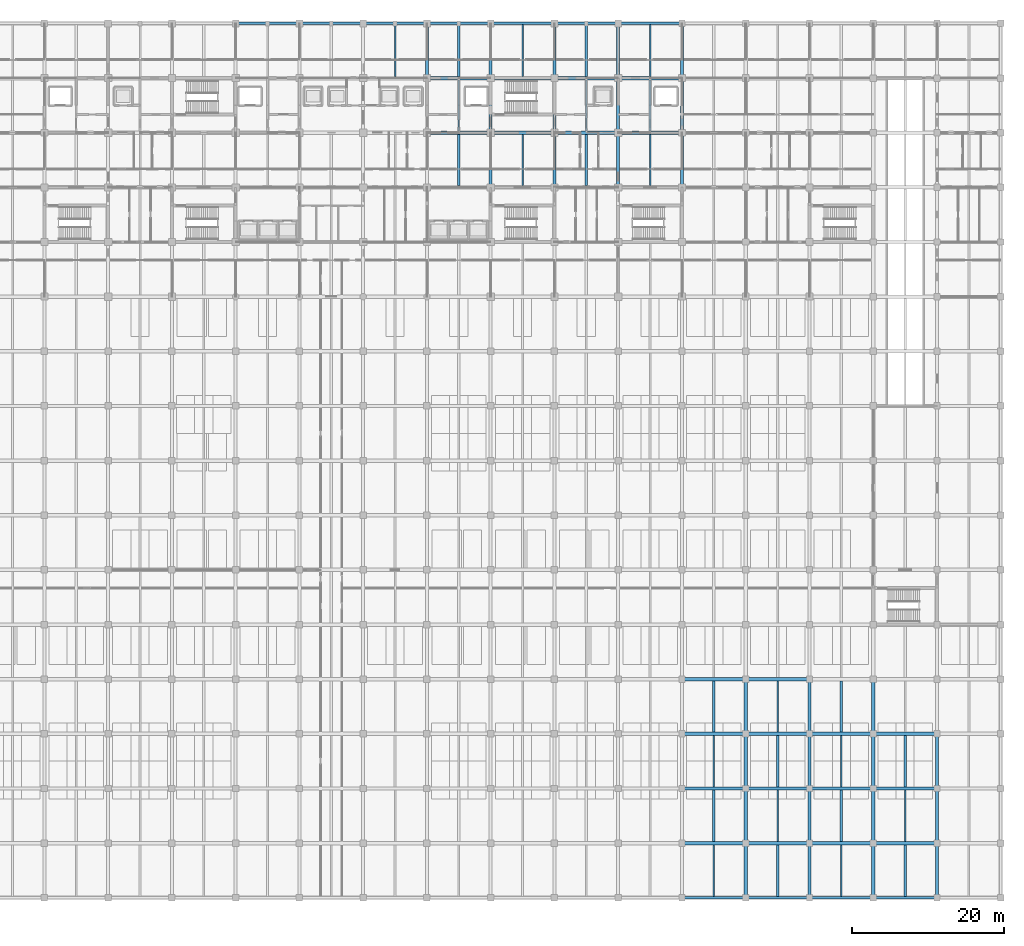
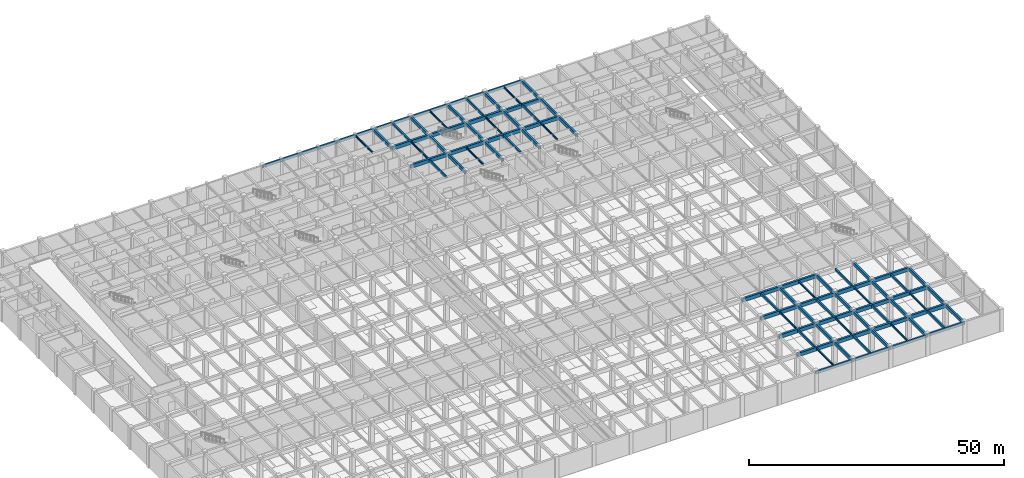
# One storey, part 9 of 48: 88 beams.
"""IFC4 building model written with IfcOpenShell, lengths in metres."""

from ifc_helpers import new_model, si_unit, direction, frame, origin, origin_2d, place, context, subcontext, project, spatial, rectangle, i_section, extrude, material, material_profile, profile_set, type_object, element, save


model = new_model("IFC4")

# Units and contexts
model_context = context("Model", 3, precision=1e-05, world=origin(), true_north=direction((0.0, 1.0)))
body_context = subcontext(model_context, "Body", "Model", "MODEL_VIEW")
ifc_project = project(units=[si_unit("LENGTHUNIT", "METRE"), si_unit("AREAUNIT", "SQUARE_METRE"), si_unit("VOLUMEUNIT", "CUBIC_METRE"), si_unit("PLANEANGLEUNIT", "RADIAN"), si_unit("MASSUNIT", "GRAM", prefix="KILO")], contexts=[model_context])

# Site, building, storey
site_placement = place(None, origin())
site = spatial("IfcSite", under=ifc_project, at=site_placement, CompositionType="ELEMENT")
building_placement = place(site_placement, origin())
building = spatial("IfcBuilding", under=site, at=building_placement, Name="Chengyuan Square Courthouse", CompositionType="ELEMENT")
storey_placement = place(building_placement, frame((0.0, 0.0, -5.39990234375)))
storey = spatial("IfcBuildingStorey", under=building, at=storey_placement, Name="B01", CompositionType="ELEMENT", Elevation=-5.39990234375)

# Beams
ifc_material_1 = material(Name="Concrete C40", Category="concrete")
ifc_material_profile_1 = material_profile(ifc_material_1, rectangle(XDim=0.449951171875, YDim=0.85009765625, at=origin_2d()), Name="RC-BM-450x850")
ifc_profile_set_1 = profile_set([ifc_material_profile_1], Name="Concrete C40")
beam_type_1 = type_object("IfcBeamType", Name="BM-01", PredefinedType="USERDEFINED", material=ifc_profile_set_1)
beam_1_placement = place(storey_placement, frame((126.0, 7.199951171875, 4.554931640625), z_axis=(1.0, 0.0, 0.0), x_axis=(0.0, 1.0, 0.0)))
element("IfcBeam", 1, at=beam_1_placement, inside=storey, type_object=beam_type_1, Name="Girder BM-B01-0707", ObjectType="GIRDER", PredefinedType="USERDEFINED", context=body_context, shape_type="SweptSolid", body=[
    extrude(rectangle(XDim=0.449951171875, YDim=0.85009765625, at=origin_2d()), origin(), (0.0, 0.0, 1.0), 8.39990234375),
])
beam_2_placement = place(storey_placement, frame((134.39990234375, 7.199951171875, 4.554931640625), z_axis=(1.0, 0.0, 0.0), x_axis=(0.0, 1.0, 0.0)))
element("IfcBeam", 2, at=beam_2_placement, inside=storey, type_object=beam_type_1, Name="Girder BM-B01-0708", ObjectType="GIRDER", PredefinedType="USERDEFINED", context=body_context, shape_type="SweptSolid", body=[
    extrude(rectangle(XDim=0.449951171875, YDim=0.85009765625, at=origin_2d()), origin(), (0.0, 0.0, 1.0), 8.400146484375),
])
beam_3_placement = place(storey_placement, frame((142.800048828125, 7.199951171875, 4.554931640625), z_axis=(1.0, 0.0, 0.0), x_axis=(0.0, 1.0, 0.0)))
element("IfcBeam", 3, at=beam_3_placement, inside=storey, type_object=beam_type_1, Name="Girder BM-B01-0709", ObjectType="GIRDER", PredefinedType="USERDEFINED", context=body_context, shape_type="SweptSolid", body=[
    extrude(rectangle(XDim=0.449951171875, YDim=0.85009765625, at=origin_2d()), origin(), (0.0, 0.0, 1.0), 8.39990234375),
])
beam_4_placement = place(storey_placement, frame((151.199951171875, 7.199951171875, 4.6748046875), z_axis=(1.0, 0.0, 0.0), x_axis=(0.0, 1.0, 0.0)))
element("IfcBeam", 4, at=beam_4_placement, inside=storey, type_object=beam_type_1, Name="Girder BM-B01-0710", ObjectType="GIRDER", PredefinedType="USERDEFINED", context=body_context, shape_type="SweptSolid", body=[
    extrude(rectangle(XDim=0.449951171875, YDim=0.85009765625, at=origin_2d()), origin(), (0.0, 0.0, 1.0), 8.400146484375),
])
beam_5_placement = place(storey_placement, frame((126.0, 14.39990234375, 4.554931640625), z_axis=(1.0, 0.0, 0.0), x_axis=(0.0, 1.0, 0.0)))
element("IfcBeam", 5, at=beam_5_placement, inside=storey, type_object=beam_type_1, Name="Girder BM-B01-0727", ObjectType="GIRDER", PredefinedType="USERDEFINED", context=body_context, shape_type="SweptSolid", body=[
    extrude(rectangle(XDim=0.449951171875, YDim=0.85009765625, at=origin_2d()), origin(), (0.0, 0.0, 1.0), 8.39990234375),
])
beam_6_placement = place(storey_placement, frame((134.39990234375, 14.39990234375, 4.554931640625), z_axis=(1.0, 0.0, 0.0), x_axis=(0.0, 1.0, 0.0)))
element("IfcBeam", 6, at=beam_6_placement, inside=storey, type_object=beam_type_1, Name="Girder BM-B01-0728", ObjectType="GIRDER", PredefinedType="USERDEFINED", context=body_context, shape_type="SweptSolid", body=[
    extrude(rectangle(XDim=0.449951171875, YDim=0.85009765625, at=origin_2d()), origin(), (0.0, 0.0, 1.0), 8.400146484375),
])
beam_7_placement = place(storey_placement, frame((142.800048828125, 14.39990234375, 4.554931640625), z_axis=(1.0, 0.0, 0.0), x_axis=(0.0, 1.0, 0.0)))
element("IfcBeam", 7, at=beam_7_placement, inside=storey, type_object=beam_type_1, Name="Girder BM-B01-0729", ObjectType="GIRDER", PredefinedType="USERDEFINED", context=body_context, shape_type="SweptSolid", body=[
    extrude(rectangle(XDim=0.449951171875, YDim=0.85009765625, at=origin_2d()), origin(), (0.0, 0.0, 1.0), 8.39990234375),
])
beam_8_placement = place(storey_placement, frame((151.199951171875, 14.39990234375, 4.6748046875), z_axis=(1.0, 0.0, 0.0), x_axis=(0.0, 1.0, 0.0)))
element("IfcBeam", 8, at=beam_8_placement, inside=storey, type_object=beam_type_1, Name="Girder BM-B01-0730", ObjectType="GIRDER", PredefinedType="USERDEFINED", context=body_context, shape_type="SweptSolid", body=[
    extrude(rectangle(XDim=0.449951171875, YDim=0.85009765625, at=origin_2d()), origin(), (0.0, 0.0, 1.0), 8.400146484375),
])
beam_9_placement = place(storey_placement, frame((126.0, 21.60009765625, 4.554931640625), z_axis=(1.0, 0.0, 0.0), x_axis=(0.0, 1.0, 0.0)))
element("IfcBeam", 9, at=beam_9_placement, inside=storey, type_object=beam_type_1, Name="Girder BM-B01-0747", ObjectType="GIRDER", PredefinedType="USERDEFINED", context=body_context, shape_type="SweptSolid", body=[
    extrude(rectangle(XDim=0.449951171875, YDim=0.85009765625, at=origin_2d()), origin(), (0.0, 0.0, 1.0), 8.39990234375),
])
beam_10_placement = place(storey_placement, frame((134.39990234375, 21.60009765625, 4.554931640625), z_axis=(1.0, 0.0, 0.0), x_axis=(0.0, 1.0, 0.0)))
element("IfcBeam", 10, at=beam_10_placement, inside=storey, type_object=beam_type_1, Name="Girder BM-B01-0748", ObjectType="GIRDER", PredefinedType="USERDEFINED", context=body_context, shape_type="SweptSolid", body=[
    extrude(rectangle(XDim=0.449951171875, YDim=0.85009765625, at=origin_2d()), origin(), (0.0, 0.0, 1.0), 8.400146484375),
])
beam_11_placement = place(storey_placement, frame((142.800048828125, 21.60009765625, 4.554931640625), z_axis=(1.0, 0.0, 0.0), x_axis=(0.0, 1.0, 0.0)))
element("IfcBeam", 11, at=beam_11_placement, inside=storey, type_object=beam_type_1, Name="Girder BM-B01-0749", ObjectType="GIRDER", PredefinedType="USERDEFINED", context=body_context, shape_type="SweptSolid", body=[
    extrude(rectangle(XDim=0.449951171875, YDim=0.85009765625, at=origin_2d()), origin(), (0.0, 0.0, 1.0), 8.39990234375),
])
beam_12_placement = place(storey_placement, frame((151.199951171875, 21.60009765625, 4.6748046875), z_axis=(1.0, 0.0, 0.0), x_axis=(0.0, 1.0, 0.0)))
element("IfcBeam", 12, at=beam_12_placement, inside=storey, type_object=beam_type_1, Name="Girder BM-B01-0750", ObjectType="GIRDER", PredefinedType="USERDEFINED", context=body_context, shape_type="SweptSolid", body=[
    extrude(rectangle(XDim=0.449951171875, YDim=0.85009765625, at=origin_2d()), origin(), (0.0, 0.0, 1.0), 8.400146484375),
])
beam_13_placement = place(storey_placement, frame((126.0, 28.800048828125, 4.554931640625), z_axis=(1.0, 0.0, 0.0), x_axis=(0.0, 1.0, 0.0)))
element("IfcBeam", 13, at=beam_13_placement, inside=storey, type_object=beam_type_1, Name="Girder BM-B01-0767", ObjectType="GIRDER", PredefinedType="USERDEFINED", context=body_context, shape_type="SweptSolid", body=[
    extrude(rectangle(XDim=0.449951171875, YDim=0.85009765625, at=origin_2d()), origin(), (0.0, 0.0, 1.0), 8.39990234375),
])
for number, where, z_axis, x_axis, name in (
    (14, (134.39990234375, 28.800048828125, 4.554931640625), (1.0, 0.0, 0.0), (0.0, 1.0, 0.0), "Girder BM-B01-0768"),
    (15, (92.39990234375, 100.800048828125, 4.6748046875), (1.0, 0.0, 0.0), (0.0, 1.0, 0.0), "Girder BM-B01-0957"),
):
    element("IfcBeam", number, at=place(storey_placement, frame(where, z_axis=z_axis, x_axis=x_axis)), inside=storey, type_object=beam_type_1, Name=name, ObjectType="GIRDER", PredefinedType="USERDEFINED", context=body_context, shape_type="SweptSolid", body=[
        extrude(rectangle(XDim=0.449951171875, YDim=0.85009765625, at=origin_2d()), origin(), (0.0, 0.0, 1.0), 8.400146484375),
    ])
beam_14_placement = place(storey_placement, frame((100.800048828125, 100.800048828125, 4.6748046875), z_axis=(1.0, 0.0, 0.0), x_axis=(0.0, 1.0, 0.0)))
element("IfcBeam", 16, at=beam_14_placement, inside=storey, type_object=beam_type_1, Name="Girder BM-B01-0958", ObjectType="GIRDER", PredefinedType="USERDEFINED", context=body_context, shape_type="SweptSolid", body=[
    extrude(rectangle(XDim=0.449951171875, YDim=0.85009765625, at=origin_2d()), origin(), (0.0, 0.0, 1.0), 8.39990234375),
])
beam_15_placement = place(storey_placement, frame((109.199951171875, 100.800048828125, 4.6748046875), z_axis=(1.0, 0.0, 0.0), x_axis=(0.0, 1.0, 0.0)))
element("IfcBeam", 17, at=beam_15_placement, inside=storey, type_object=beam_type_1, Name="Girder BM-B01-0959", ObjectType="GIRDER", PredefinedType="USERDEFINED", context=body_context, shape_type="SweptSolid", body=[
    extrude(rectangle(XDim=0.449951171875, YDim=0.85009765625, at=origin_2d()), origin(), (0.0, 0.0, 1.0), 8.400146484375),
])
beam_16_placement = place(storey_placement, frame((117.60009765625, 100.800048828125, 4.6748046875), z_axis=(1.0, 0.0, 0.0), x_axis=(0.0, 1.0, 0.0)))
element("IfcBeam", 18, at=beam_16_placement, inside=storey, type_object=beam_type_1, Name="Girder BM-B01-0960", ObjectType="GIRDER", PredefinedType="USERDEFINED", context=body_context, shape_type="SweptSolid", body=[
    extrude(rectangle(XDim=0.449951171875, YDim=0.85009765625, at=origin_2d()), origin(), (0.0, 0.0, 1.0), 8.39990234375),
])
beam_17_placement = place(storey_placement, frame((92.39990234375, 108.0, 4.6748046875), z_axis=(1.0, 0.0, 0.0), x_axis=(0.0, 1.0, 0.0)))
element("IfcBeam", 19, at=beam_17_placement, inside=storey, type_object=beam_type_1, Name="Girder BM-B01-0977", ObjectType="GIRDER", PredefinedType="USERDEFINED", context=body_context, shape_type="SweptSolid", body=[
    extrude(rectangle(XDim=0.449951171875, YDim=0.85009765625, at=origin_2d()), origin(), (0.0, 0.0, 1.0), 8.400146484375),
])
beam_18_placement = place(storey_placement, frame((100.800048828125, 108.0, 4.6748046875), z_axis=(1.0, 0.0, 0.0), x_axis=(0.0, 1.0, 0.0)))
element("IfcBeam", 20, at=beam_18_placement, inside=storey, type_object=beam_type_1, Name="Girder BM-B01-0978", ObjectType="GIRDER", PredefinedType="USERDEFINED", context=body_context, shape_type="SweptSolid", body=[
    extrude(rectangle(XDim=0.449951171875, YDim=0.85009765625, at=origin_2d()), origin(), (0.0, 0.0, 1.0), 8.39990234375),
])
beam_19_placement = place(storey_placement, frame((109.199951171875, 108.0, 4.6748046875), z_axis=(1.0, 0.0, 0.0), x_axis=(0.0, 1.0, 0.0)))
element("IfcBeam", 21, at=beam_19_placement, inside=storey, type_object=beam_type_1, Name="Girder BM-B01-0979", ObjectType="GIRDER", PredefinedType="USERDEFINED", context=body_context, shape_type="SweptSolid", body=[
    extrude(rectangle(XDim=0.449951171875, YDim=0.85009765625, at=origin_2d()), origin(), (0.0, 0.0, 1.0), 8.400146484375),
])
beam_20_placement = place(storey_placement, frame((117.60009765625, 108.0, 4.554931640625), z_axis=(1.0, 0.0, 0.0), x_axis=(0.0, 1.0, 0.0)))
element("IfcBeam", 22, at=beam_20_placement, inside=storey, type_object=beam_type_1, Name="Girder BM-B01-0980", ObjectType="GIRDER", PredefinedType="USERDEFINED", context=body_context, shape_type="SweptSolid", body=[
    extrude(rectangle(XDim=0.449951171875, YDim=0.85009765625, at=origin_2d()), origin(), (0.0, 0.0, 1.0), 8.39990234375),
])
ifc_material_profile_2 = material_profile(ifc_material_1, rectangle(XDim=0.39990234375, YDim=0.75, at=origin_2d()), Name="RC-BM-400x750")
ifc_profile_set_2 = profile_set([ifc_material_profile_2], Name="Concrete C40")
beam_type_2 = type_object("IfcBeamType", Name="BM-02", PredefinedType="USERDEFINED", material=ifc_profile_set_2)
for number, where, z_axis, x_axis, name in (
    (23, (92.39990234375, 108.0, 4.724853515625), (0.0, 1.0, 0.0), (-1.0, 0.0, 0.0), "Girder BM-B01-1197"),
    (24, (100.800048828125, 93.60009765625, 4.724853515625), (0.0, 1.0, 0.0), (-1.0, 0.0, 0.0), "Girder BM-B01-1211"),
    (25, (100.800048828125, 100.800048828125, 4.724853515625), (0.0, 1.0, 0.0), (-1.0, 0.0, 0.0), "Girder BM-B01-1212"),
    (26, (100.800048828125, 108.0, 4.724853515625), (0.0, 1.0, 0.0), (-1.0, 0.0, 0.0), "Girder BM-B01-1213"),
    (27, (109.199951171875, 93.60009765625, 4.724853515625), (0.0, 1.0, 0.0), (-1.0, 0.0, 0.0), "Girder BM-B01-1227"),
    (28, (109.199951171875, 100.800048828125, 4.724853515625), (0.0, 1.0, 0.0), (-1.0, 0.0, 0.0), "Girder BM-B01-1228"),
    (29, (109.199951171875, 108.0, 4.724853515625), (0.0, 1.0, 0.0), (-1.0, 0.0, 0.0), "Girder BM-B01-1229"),
    (30, (117.60009765625, 93.60009765625, 4.724853515625), (0.0, 1.0, 0.0), (-1.0, 0.0, 0.0), "Girder BM-B01-1243"),
    (31, (117.60009765625, 100.800048828125, 4.724853515625), (0.0, 1.0, 0.0), (-1.0, 0.0, 0.0), "Girder BM-B01-1244"),
    (32, (117.60009765625, 108.0, 4.60498046875), (0.0, 1.0, 0.0), (-1.0, 0.0, 0.0), "Girder BM-B01-1245"),
    (33, (126.0, 93.60009765625, 4.724853515625), (0.0, 1.0, 0.0), (-1.0, 0.0, 0.0), "Girder BM-B01-1259"),
    (34, (126.0, 100.800048828125, 4.724853515625), (0.0, 1.0, 0.0), (-1.0, 0.0, 0.0), "Girder BM-B01-1260"),
    (35, (126.0, 108.0, 4.60498046875), (0.0, 1.0, 0.0), (-1.0, 0.0, 0.0), "Girder BM-B01-1261"),
    (36, (134.39990234375, 0.0, 4.60498046875), (0.0, 1.0, 0.0), (-1.0, 0.0, 0.0), "Girder BM-B01-1262"),
    (37, (134.39990234375, 7.199951171875, 4.60498046875), (0.0, 1.0, 0.0), (-1.0, 0.0, 0.0), "Girder BM-B01-1263"),
):
    element("IfcBeam", number, at=place(storey_placement, frame(where, z_axis=z_axis, x_axis=x_axis)), inside=storey, type_object=beam_type_2, Name=name, ObjectType="GIRDER", PredefinedType="USERDEFINED", context=body_context, shape_type="SweptSolid", body=[
        extrude(rectangle(XDim=0.39990234375, YDim=0.75, at=origin_2d()), origin(), (0.0, 0.0, 1.0), 7.199951171875),
    ])
beam_21_placement = place(storey_placement, frame((134.39990234375, 14.39990234375, 4.60498046875), z_axis=(0.0, 1.0, 0.0), x_axis=(-1.0, 0.0, 0.0)))
element("IfcBeam", 38, at=beam_21_placement, inside=storey, type_object=beam_type_2, Name="Girder BM-B01-1264", ObjectType="GIRDER", PredefinedType="USERDEFINED", context=body_context, shape_type="SweptSolid", body=[
    extrude(rectangle(XDim=0.39990234375, YDim=0.75, at=origin_2d()), origin(), (0.0, 0.0, 1.0), 7.2001953125),
])
for number, where, z_axis, x_axis, name in (
    (39, (134.39990234375, 21.60009765625, 4.60498046875), (0.0, 1.0, 0.0), (-1.0, 0.0, 0.0), "Girder BM-B01-1265"),
    (40, (142.800048828125, 0.0, 4.60498046875), (0.0, 1.0, 0.0), (-1.0, 0.0, 0.0), "Girder BM-B01-1278"),
    (41, (142.800048828125, 7.199951171875, 4.60498046875), (0.0, 1.0, 0.0), (-1.0, 0.0, 0.0), "Girder BM-B01-1279"),
):
    element("IfcBeam", number, at=place(storey_placement, frame(where, z_axis=z_axis, x_axis=x_axis)), inside=storey, type_object=beam_type_2, Name=name, ObjectType="GIRDER", PredefinedType="USERDEFINED", context=body_context, shape_type="SweptSolid", body=[
        extrude(rectangle(XDim=0.39990234375, YDim=0.75, at=origin_2d()), origin(), (0.0, 0.0, 1.0), 7.199951171875),
    ])
beam_22_placement = place(storey_placement, frame((142.800048828125, 14.39990234375, 4.60498046875), z_axis=(0.0, 1.0, 0.0), x_axis=(-1.0, 0.0, 0.0)))
element("IfcBeam", 42, at=beam_22_placement, inside=storey, type_object=beam_type_2, Name="Girder BM-B01-1280", ObjectType="GIRDER", PredefinedType="USERDEFINED", context=body_context, shape_type="SweptSolid", body=[
    extrude(rectangle(XDim=0.39990234375, YDim=0.75, at=origin_2d()), origin(), (0.0, 0.0, 1.0), 7.2001953125),
])
for number, where, z_axis, x_axis, name in (
    (43, (142.800048828125, 21.60009765625, 4.60498046875), (0.0, 1.0, 0.0), (-1.0, 0.0, 0.0), "Girder BM-B01-1281"),
    (44, (151.199951171875, 0.0, 4.60498046875), (0.0, 1.0, 0.0), (-1.0, 0.0, 0.0), "Girder BM-B01-1294"),
    (45, (151.199951171875, 7.199951171875, 4.60498046875), (0.0, 1.0, 0.0), (-1.0, 0.0, 0.0), "Girder BM-B01-1295"),
):
    element("IfcBeam", number, at=place(storey_placement, frame(where, z_axis=z_axis, x_axis=x_axis)), inside=storey, type_object=beam_type_2, Name=name, ObjectType="GIRDER", PredefinedType="USERDEFINED", context=body_context, shape_type="SweptSolid", body=[
        extrude(rectangle(XDim=0.39990234375, YDim=0.75, at=origin_2d()), origin(), (0.0, 0.0, 1.0), 7.199951171875),
    ])
beam_23_placement = place(storey_placement, frame((151.199951171875, 14.39990234375, 4.60498046875), z_axis=(0.0, 1.0, 0.0), x_axis=(-1.0, 0.0, 0.0)))
element("IfcBeam", 46, at=beam_23_placement, inside=storey, type_object=beam_type_2, Name="Girder BM-B01-1296", ObjectType="GIRDER", PredefinedType="USERDEFINED", context=body_context, shape_type="SweptSolid", body=[
    extrude(rectangle(XDim=0.39990234375, YDim=0.75, at=origin_2d()), origin(), (0.0, 0.0, 1.0), 7.2001953125),
])
for number, where, z_axis, x_axis, name in (
    (47, (151.199951171875, 21.60009765625, 4.60498046875), (0.0, 1.0, 0.0), (-1.0, 0.0, 0.0), "Girder BM-B01-1297"),
    (48, (159.60009765625, 0.0, 4.724853515625), (0.0, 1.0, 0.0), (-1.0, 0.0, 0.0), "Girder BM-B01-1310"),
    (49, (159.60009765625, 7.199951171875, 4.724853515625), (0.0, 1.0, 0.0), (-1.0, 0.0, 0.0), "Girder BM-B01-1311"),
):
    element("IfcBeam", number, at=place(storey_placement, frame(where, z_axis=z_axis, x_axis=x_axis)), inside=storey, type_object=beam_type_2, Name=name, ObjectType="GIRDER", PredefinedType="USERDEFINED", context=body_context, shape_type="SweptSolid", body=[
        extrude(rectangle(XDim=0.39990234375, YDim=0.75, at=origin_2d()), origin(), (0.0, 0.0, 1.0), 7.199951171875),
    ])
beam_24_placement = place(storey_placement, frame((159.60009765625, 14.39990234375, 4.724853515625), z_axis=(0.0, 1.0, 0.0), x_axis=(-1.0, 0.0, 0.0)))
element("IfcBeam", 50, at=beam_24_placement, inside=storey, type_object=beam_type_2, Name="Girder BM-B01-1312", ObjectType="GIRDER", PredefinedType="USERDEFINED", context=body_context, shape_type="SweptSolid", body=[
    extrude(rectangle(XDim=0.39990234375, YDim=0.75, at=origin_2d()), origin(), (0.0, 0.0, 1.0), 7.2001953125),
])
ifc_material_profile_3 = material_profile(ifc_material_1, rectangle(XDim=0.35009765625, YDim=0.64990234375, at=origin_2d()), Name="RC-BM-350x650")
ifc_profile_set_3 = profile_set([ifc_material_profile_3], Name="Concrete C40")
beam_type_3 = type_object("IfcBeamType", Name="BM-03", PredefinedType="SPANDREL", material=ifc_profile_set_3)
beam_25_placement = place(storey_placement, frame((126.0, 0.0, 4.65478515625), z_axis=(1.0, 0.0, 0.0), x_axis=(0.0, 1.0, 0.0)))
element("IfcBeam", 51, at=beam_25_placement, inside=storey, type_object=beam_type_3, Name="Girder BM-B01-0687", PredefinedType="SPANDREL", context=body_context, shape_type="SweptSolid", body=[
    extrude(rectangle(XDim=0.35009765625, YDim=0.64990234375, at=origin_2d()), origin(), (0.0, 0.0, 1.0), 8.39990234375),
])
beam_26_placement = place(storey_placement, frame((134.39990234375, 0.0, 4.65478515625), z_axis=(1.0, 0.0, 0.0), x_axis=(0.0, 1.0, 0.0)))
element("IfcBeam", 52, at=beam_26_placement, inside=storey, type_object=beam_type_3, Name="Girder BM-B01-0688", PredefinedType="SPANDREL", context=body_context, shape_type="SweptSolid", body=[
    extrude(rectangle(XDim=0.35009765625, YDim=0.64990234375, at=origin_2d()), origin(), (0.0, 0.0, 1.0), 8.400146484375),
])
beam_27_placement = place(storey_placement, frame((142.800048828125, 0.0, 4.65478515625), z_axis=(1.0, 0.0, 0.0), x_axis=(0.0, 1.0, 0.0)))
element("IfcBeam", 53, at=beam_27_placement, inside=storey, type_object=beam_type_3, Name="Girder BM-B01-0689", PredefinedType="SPANDREL", context=body_context, shape_type="SweptSolid", body=[
    extrude(rectangle(XDim=0.35009765625, YDim=0.64990234375, at=origin_2d()), origin(), (0.0, 0.0, 1.0), 8.39990234375),
])
for number, where, z_axis, x_axis, name in (
    (54, (151.199951171875, 0.0, 4.77490234375), (1.0, 0.0, 0.0), (0.0, 1.0, 0.0), "Girder BM-B01-0690"),
    (55, (67.199951171875, 115.199951171875, 4.77490234375), (1.0, 0.0, 0.0), (0.0, 1.0, 0.0), "Girder BM-B01-0994"),
):
    element("IfcBeam", number, at=place(storey_placement, frame(where, z_axis=z_axis, x_axis=x_axis)), inside=storey, type_object=beam_type_3, Name=name, PredefinedType="SPANDREL", context=body_context, shape_type="SweptSolid", body=[
        extrude(rectangle(XDim=0.35009765625, YDim=0.64990234375, at=origin_2d()), origin(), (0.0, 0.0, 1.0), 8.400146484375),
    ])
for number, where, z_axis, x_axis, name in (
    (56, (75.60009765625, 115.199951171875, 4.77490234375), (1.0, 0.0, 0.0), (0.0, 1.0, 0.0), "Girder BM-B01-0995"),
    (57, (84.0, 115.199951171875, 4.77490234375), (1.0, 0.0, 0.0), (0.0, 1.0, 0.0), "Girder BM-B01-0996"),
):
    element("IfcBeam", number, at=place(storey_placement, frame(where, z_axis=z_axis, x_axis=x_axis)), inside=storey, type_object=beam_type_3, Name=name, PredefinedType="SPANDREL", context=body_context, shape_type="SweptSolid", body=[
        extrude(rectangle(XDim=0.35009765625, YDim=0.64990234375, at=origin_2d()), origin(), (0.0, 0.0, 1.0), 8.39990234375),
    ])
beam_28_placement = place(storey_placement, frame((92.39990234375, 115.199951171875, 4.77490234375), z_axis=(1.0, 0.0, 0.0), x_axis=(0.0, 1.0, 0.0)))
element("IfcBeam", 58, at=beam_28_placement, inside=storey, type_object=beam_type_3, Name="Girder BM-B01-0997", PredefinedType="SPANDREL", context=body_context, shape_type="SweptSolid", body=[
    extrude(rectangle(XDim=0.35009765625, YDim=0.64990234375, at=origin_2d()), origin(), (0.0, 0.0, 1.0), 8.400146484375),
])
beam_29_placement = place(storey_placement, frame((100.800048828125, 115.199951171875, 4.77490234375), z_axis=(1.0, 0.0, 0.0), x_axis=(0.0, 1.0, 0.0)))
element("IfcBeam", 59, at=beam_29_placement, inside=storey, type_object=beam_type_3, Name="Girder BM-B01-0998", PredefinedType="SPANDREL", context=body_context, shape_type="SweptSolid", body=[
    extrude(rectangle(XDim=0.35009765625, YDim=0.64990234375, at=origin_2d()), origin(), (0.0, 0.0, 1.0), 8.39990234375),
])
beam_30_placement = place(storey_placement, frame((109.199951171875, 115.199951171875, 4.77490234375), z_axis=(1.0, 0.0, 0.0), x_axis=(0.0, 1.0, 0.0)))
element("IfcBeam", 60, at=beam_30_placement, inside=storey, type_object=beam_type_3, Name="Girder BM-B01-0999", PredefinedType="SPANDREL", context=body_context, shape_type="SweptSolid", body=[
    extrude(rectangle(XDim=0.35009765625, YDim=0.64990234375, at=origin_2d()), origin(), (0.0, 0.0, 1.0), 8.400146484375),
])
beam_31_placement = place(storey_placement, frame((117.60009765625, 115.199951171875, 4.65478515625), z_axis=(1.0, 0.0, 0.0), x_axis=(0.0, 1.0, 0.0)))
element("IfcBeam", 61, at=beam_31_placement, inside=storey, type_object=beam_type_3, Name="Girder BM-B01-1000", PredefinedType="SPANDREL", context=body_context, shape_type="SweptSolid", body=[
    extrude(rectangle(XDim=0.35009765625, YDim=0.64990234375, at=origin_2d()), origin(), (0.0, 0.0, 1.0), 8.39990234375),
])
ifc_material_profile_4 = material_profile(ifc_material_1, rectangle(XDim=0.300048828125, YDim=0.550048828125, at=origin_2d()), Name="RC-BM-300x550")
ifc_profile_set_4 = profile_set([ifc_material_profile_4], Name="Concrete C40")
beam_type_4 = type_object("IfcBeamType", Name="BM-04", PredefinedType="BEAM", material=ifc_profile_set_4)
beam_32_placement = place(storey_placement, frame((96.60009765625, 93.824951171875, 4.824951171875), z_axis=(0.0, 1.0, 0.0), x_axis=(-1.0, 0.0, 0.0)))
element("IfcBeam", 62, at=beam_32_placement, inside=storey, type_object=beam_type_4, Name="Secondary Floor Beam SBM-B01-1515", PredefinedType="BEAM", context=body_context, shape_type="SweptSolid", body=[
    extrude(rectangle(XDim=0.300048828125, YDim=0.550048828125, at=origin_2d()), origin(), (0.0, 0.0, 1.0), 6.75),
])
beam_33_placement = place(storey_placement, frame((96.60009765625, 108.22509765625, 4.824951171875), z_axis=(0.0, 1.0, 0.0), x_axis=(-1.0, 0.0, 0.0)))
element("IfcBeam", 63, at=beam_33_placement, inside=storey, type_object=beam_type_4, Name="Secondary Floor Beam SBM-B01-1517", PredefinedType="BEAM", context=body_context, shape_type="SweptSolid", body=[
    extrude(rectangle(XDim=0.300048828125, YDim=0.550048828125, at=origin_2d()), origin(), (0.0, 0.0, 1.0), 6.7998046875),
])
beam_34_placement = place(storey_placement, frame((113.39990234375, 93.824951171875, 4.824951171875), z_axis=(0.0, 1.0, 0.0), x_axis=(-1.0, 0.0, 0.0)))
element("IfcBeam", 64, at=beam_34_placement, inside=storey, type_object=beam_type_4, Name="Secondary Floor Beam SBM-B01-1545", PredefinedType="BEAM", context=body_context, shape_type="SweptSolid", body=[
    extrude(rectangle(XDim=0.300048828125, YDim=0.550048828125, at=origin_2d()), origin(), (0.0, 0.0, 1.0), 6.75),
])
beam_35_placement = place(storey_placement, frame((113.39990234375, 108.22509765625, 4.824951171875), z_axis=(0.0, 1.0, 0.0), x_axis=(-1.0, 0.0, 0.0)))
element("IfcBeam", 65, at=beam_35_placement, inside=storey, type_object=beam_type_4, Name="Secondary Floor Beam SBM-B01-1547", PredefinedType="BEAM", context=body_context, shape_type="SweptSolid", body=[
    extrude(rectangle(XDim=0.300048828125, YDim=0.550048828125, at=origin_2d()), origin(), (0.0, 0.0, 1.0), 6.7998046875),
])
for number, where, z_axis, x_axis, name in (
    (66, (121.800048828125, 101.02490234375, 4.824951171875), (0.0, 1.0, 0.0), (-1.0, 0.0, 0.0), "Secondary Floor Beam SBM-B01-1561"),
    (67, (130.199951171875, 7.425048828125, 4.704833984375), (0.0, 1.0, 0.0), (-1.0, 0.0, 0.0), "Secondary Floor Beam SBM-B01-1564"),
    (68, (130.199951171875, 21.824951171875, 4.704833984375), (0.0, 1.0, 0.0), (-1.0, 0.0, 0.0), "Secondary Floor Beam SBM-B01-1566"),
):
    element("IfcBeam", number, at=place(storey_placement, frame(where, z_axis=z_axis, x_axis=x_axis)), inside=storey, type_object=beam_type_4, Name=name, PredefinedType="BEAM", context=body_context, shape_type="SweptSolid", body=[
        extrude(rectangle(XDim=0.300048828125, YDim=0.550048828125, at=origin_2d()), origin(), (0.0, 0.0, 1.0), 6.75),
    ])
beam_36_placement = place(storey_placement, frame((138.60009765625, 0.175048828125, 4.704833984375), z_axis=(0.0, 1.0, 0.0), x_axis=(-1.0, 0.0, 0.0)))
element("IfcBeam", 69, at=beam_36_placement, inside=storey, type_object=beam_type_4, Name="Secondary Floor Beam SBM-B01-1579", PredefinedType="BEAM", context=body_context, shape_type="SweptSolid", body=[
    extrude(rectangle(XDim=0.300048828125, YDim=0.550048828125, at=origin_2d()), origin(), (0.0, 0.0, 1.0), 6.800048828125),
])
for number, where, z_axis, x_axis, name in (
    (70, (138.60009765625, 14.625, 4.704833984375), (0.0, 1.0, 0.0), (-1.0, 0.0, 0.0), "Secondary Floor Beam SBM-B01-1581"),
    (71, (147.0, 7.425048828125, 4.704833984375), (0.0, 1.0, 0.0), (-1.0, 0.0, 0.0), "Secondary Floor Beam SBM-B01-1596"),
    (72, (147.0, 21.824951171875, 4.704833984375), (0.0, 1.0, 0.0), (-1.0, 0.0, 0.0), "Secondary Floor Beam SBM-B01-1598"),
):
    element("IfcBeam", number, at=place(storey_placement, frame(where, z_axis=z_axis, x_axis=x_axis)), inside=storey, type_object=beam_type_4, Name=name, PredefinedType="BEAM", context=body_context, shape_type="SweptSolid", body=[
        extrude(rectangle(XDim=0.300048828125, YDim=0.550048828125, at=origin_2d()), origin(), (0.0, 0.0, 1.0), 6.75),
    ])
beam_37_placement = place(storey_placement, frame((155.39990234375, 0.175048828125, 4.824951171875), z_axis=(0.0, 1.0, 0.0), x_axis=(-1.0, 0.0, 0.0)))
element("IfcBeam", 73, at=beam_37_placement, inside=storey, type_object=beam_type_4, Name="Secondary Floor Beam SBM-B01-1610", PredefinedType="BEAM", context=body_context, shape_type="SweptSolid", body=[
    extrude(rectangle(XDim=0.300048828125, YDim=0.550048828125, at=origin_2d()), origin(), (0.0, 0.0, 1.0), 6.800048828125),
])
beam_38_placement = place(storey_placement, frame((155.39990234375, 14.625, 4.824951171875), z_axis=(0.0, 1.0, 0.0), x_axis=(-1.0, 0.0, 0.0)))
element("IfcBeam", 74, at=beam_38_placement, inside=storey, type_object=beam_type_4, Name="Secondary Floor Beam SBM-B01-1612", PredefinedType="BEAM", context=body_context, shape_type="SweptSolid", body=[
    extrude(rectangle(XDim=0.300048828125, YDim=0.550048828125, at=origin_2d()), origin(), (0.0, 0.0, 1.0), 6.75),
])
ifc_material_2 = material(Name="Steel Q355B", Category="steel")
ifc_material_profile_5 = material_profile(ifc_material_2, i_section(OverallWidth=0.199951171875, OverallDepth=0.449951171875, WebThickness=0.009033203125, FlangeThickness=0.013916015625, at=origin_2d()), Name="HN 450x200x9x14")
ifc_profile_set_5 = profile_set([ifc_material_profile_5], Name="Steel Q355B")
beam_type_5 = type_object("IfcBeamType", Name="BM-06", PredefinedType="BEAM", material=ifc_profile_set_5)
beam_39_placement = place(storey_placement, frame((88.199951171875, 108.22509765625, 4.875), z_axis=(0.0, 1.0, 0.0), x_axis=(-1.0, 0.0, 0.0)))
element("IfcBeam", 75, at=beam_39_placement, inside=storey, type_object=beam_type_5, Name="Secondary Floor Beam SBM-B01-1502", PredefinedType="BEAM", context=body_context, shape_type="SweptSolid", body=[
    extrude(i_section(OverallWidth=0.199951171875, OverallDepth=0.449951171875, WebThickness=0.009033203125, FlangeThickness=0.013916015625, at=origin_2d()), origin(), (0.0, 0.0, 1.0), 6.7998046875),
])
for number, where, z_axis, x_axis, name in (
    (76, (96.60009765625, 101.02490234375, 4.875), (0.0, 1.0, 0.0), (-1.0, 0.0, 0.0), "Secondary Floor Beam SBM-B01-1516"),
    (77, (105.0, 93.824951171875, 4.875), (0.0, 1.0, 0.0), (-1.0, 0.0, 0.0), "Secondary Floor Beam SBM-B01-1530"),
):
    element("IfcBeam", number, at=place(storey_placement, frame(where, z_axis=z_axis, x_axis=x_axis)), inside=storey, type_object=beam_type_5, Name=name, PredefinedType="BEAM", context=body_context, shape_type="SweptSolid", body=[
        extrude(i_section(OverallWidth=0.199951171875, OverallDepth=0.449951171875, WebThickness=0.009033203125, FlangeThickness=0.013916015625, at=origin_2d()), origin(), (0.0, 0.0, 1.0), 6.75),
    ])
beam_40_placement = place(storey_placement, frame((105.0, 108.22509765625, 4.875), z_axis=(0.0, 1.0, 0.0), x_axis=(-1.0, 0.0, 0.0)))
element("IfcBeam", 78, at=beam_40_placement, inside=storey, type_object=beam_type_5, Name="Secondary Floor Beam SBM-B01-1531", PredefinedType="BEAM", context=body_context, shape_type="SweptSolid", body=[
    extrude(i_section(OverallWidth=0.199951171875, OverallDepth=0.449951171875, WebThickness=0.009033203125, FlangeThickness=0.013916015625, at=origin_2d()), origin(), (0.0, 0.0, 1.0), 6.7998046875),
])
for number, where, z_axis, x_axis, name in (
    (79, (113.39990234375, 101.02490234375, 4.875), (0.0, 1.0, 0.0), (-1.0, 0.0, 0.0), "Secondary Floor Beam SBM-B01-1546"),
    (80, (121.800048828125, 93.824951171875, 4.875), (0.0, 1.0, 0.0), (-1.0, 0.0, 0.0), "Secondary Floor Beam SBM-B01-1560"),
):
    element("IfcBeam", number, at=place(storey_placement, frame(where, z_axis=z_axis, x_axis=x_axis)), inside=storey, type_object=beam_type_5, Name=name, PredefinedType="BEAM", context=body_context, shape_type="SweptSolid", body=[
        extrude(i_section(OverallWidth=0.199951171875, OverallDepth=0.449951171875, WebThickness=0.009033203125, FlangeThickness=0.013916015625, at=origin_2d()), origin(), (0.0, 0.0, 1.0), 6.75),
    ])
beam_41_placement = place(storey_placement, frame((121.800048828125, 108.22509765625, 4.7548828125), z_axis=(0.0, 1.0, 0.0), x_axis=(-1.0, 0.0, 0.0)))
element("IfcBeam", 81, at=beam_41_placement, inside=storey, type_object=beam_type_5, Name="Secondary Floor Beam SBM-B01-1562", PredefinedType="BEAM", context=body_context, shape_type="SweptSolid", body=[
    extrude(i_section(OverallWidth=0.199951171875, OverallDepth=0.449951171875, WebThickness=0.009033203125, FlangeThickness=0.013916015625, at=origin_2d()), origin(), (0.0, 0.0, 1.0), 6.7998046875),
])
beam_42_placement = place(storey_placement, frame((130.199951171875, 0.175048828125, 4.7548828125), z_axis=(0.0, 1.0, 0.0), x_axis=(-1.0, 0.0, 0.0)))
element("IfcBeam", 82, at=beam_42_placement, inside=storey, type_object=beam_type_5, Name="Secondary Floor Beam SBM-B01-1563", PredefinedType="BEAM", context=body_context, shape_type="SweptSolid", body=[
    extrude(i_section(OverallWidth=0.199951171875, OverallDepth=0.449951171875, WebThickness=0.009033203125, FlangeThickness=0.013916015625, at=origin_2d()), origin(), (0.0, 0.0, 1.0), 6.800048828125),
])
for number, where, z_axis, x_axis, name in (
    (83, (130.199951171875, 14.625, 4.7548828125), (0.0, 1.0, 0.0), (-1.0, 0.0, 0.0), "Secondary Floor Beam SBM-B01-1565"),
    (84, (138.60009765625, 7.425048828125, 4.7548828125), (0.0, 1.0, 0.0), (-1.0, 0.0, 0.0), "Secondary Floor Beam SBM-B01-1580"),
    (85, (138.60009765625, 21.824951171875, 4.7548828125), (0.0, 1.0, 0.0), (-1.0, 0.0, 0.0), "Secondary Floor Beam SBM-B01-1582"),
):
    element("IfcBeam", number, at=place(storey_placement, frame(where, z_axis=z_axis, x_axis=x_axis)), inside=storey, type_object=beam_type_5, Name=name, PredefinedType="BEAM", context=body_context, shape_type="SweptSolid", body=[
        extrude(i_section(OverallWidth=0.199951171875, OverallDepth=0.449951171875, WebThickness=0.009033203125, FlangeThickness=0.013916015625, at=origin_2d()), origin(), (0.0, 0.0, 1.0), 6.75),
    ])
beam_43_placement = place(storey_placement, frame((147.0, 0.175048828125, 4.7548828125), z_axis=(0.0, 1.0, 0.0), x_axis=(-1.0, 0.0, 0.0)))
element("IfcBeam", 86, at=beam_43_placement, inside=storey, type_object=beam_type_5, Name="Secondary Floor Beam SBM-B01-1595", PredefinedType="BEAM", context=body_context, shape_type="SweptSolid", body=[
    extrude(i_section(OverallWidth=0.199951171875, OverallDepth=0.449951171875, WebThickness=0.009033203125, FlangeThickness=0.013916015625, at=origin_2d()), origin(), (0.0, 0.0, 1.0), 6.800048828125),
])
for number, where, z_axis, x_axis, name in (
    (87, (147.0, 14.625, 4.7548828125), (0.0, 1.0, 0.0), (-1.0, 0.0, 0.0), "Secondary Floor Beam SBM-B01-1597"),
    (88, (155.39990234375, 7.425048828125, 4.875), (0.0, 1.0, 0.0), (-1.0, 0.0, 0.0), "Secondary Floor Beam SBM-B01-1611"),
):
    element("IfcBeam", number, at=place(storey_placement, frame(where, z_axis=z_axis, x_axis=x_axis)), inside=storey, type_object=beam_type_5, Name=name, PredefinedType="BEAM", context=body_context, shape_type="SweptSolid", body=[
        extrude(i_section(OverallWidth=0.199951171875, OverallDepth=0.449951171875, WebThickness=0.009033203125, FlangeThickness=0.013916015625, at=origin_2d()), origin(), (0.0, 0.0, 1.0), 6.75),
    ])

save(model, "model.ifc")
